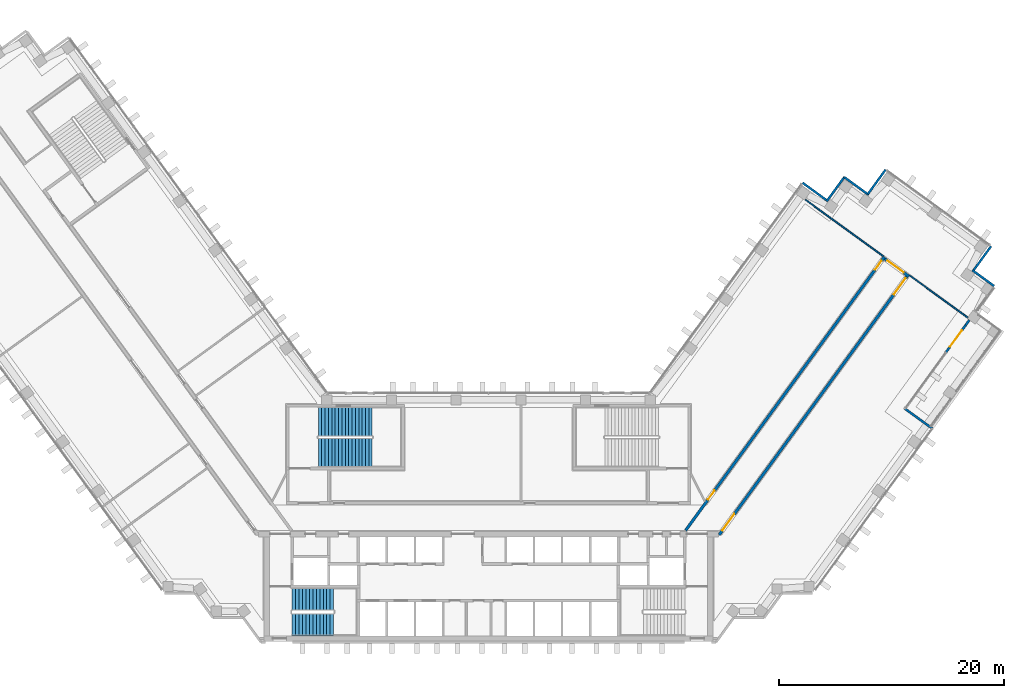
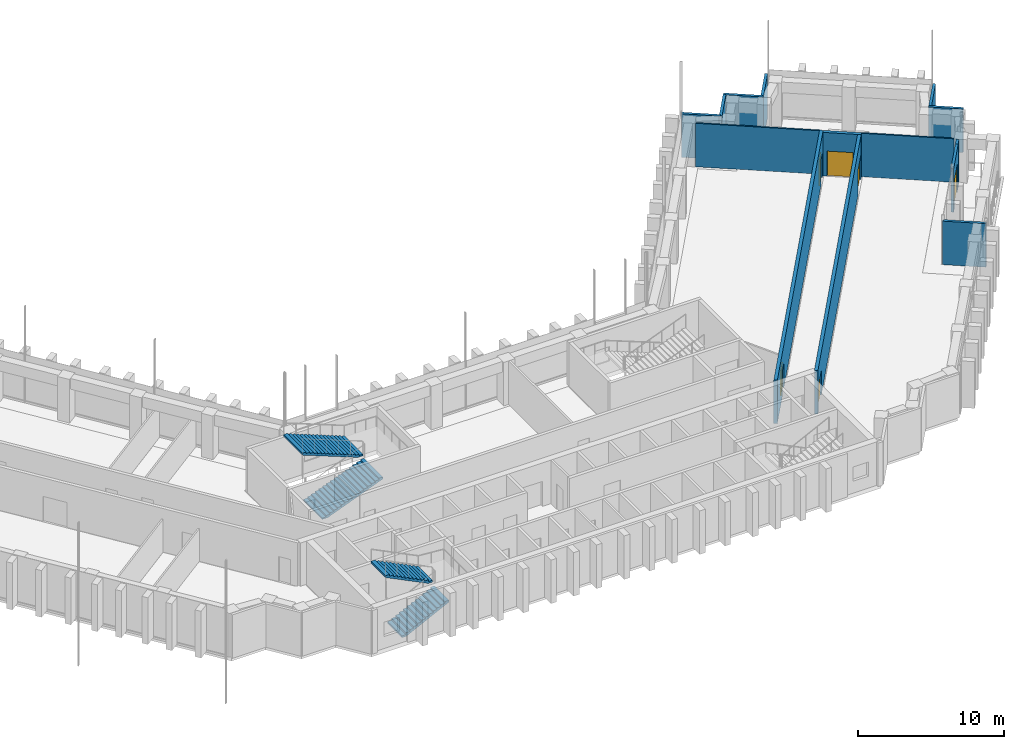
# One storey, part 13 of 16: 14 walls, 6 doors, 4 stair flights, 6 openings, 2 elements without a shape of their own.
"""IFC4 building model written with IfcOpenShell, lengths in metres."""

from ifc_helpers import new_model, si_unit, direction, frame, frame_2d, origin, place, context, subcontext, project, spatial, polyline, rectangle, outline, extrude, material, layer, layer_set, type_object, element, fill, aggregate, save


model = new_model("IFC4")

# Units and contexts
model_context = context("Model", 3, precision=1e-05, world=origin(), true_north=direction((0.0, 1.0)))
body_context = subcontext(model_context, "Body", "Model", "MODEL_VIEW")
ifc_project = project(units=[si_unit("LENGTHUNIT", "METRE"), si_unit("AREAUNIT", "SQUARE_METRE"), si_unit("VOLUMEUNIT", "CUBIC_METRE"), si_unit("PLANEANGLEUNIT", "RADIAN"), si_unit("MASSUNIT", "GRAM", prefix="KILO")], contexts=[model_context])

# Site, building, storey
site_placement = place(None, origin())
site = spatial("IfcSite", under=ifc_project, at=site_placement, CompositionType="ELEMENT")
building_placement = place(site_placement, origin())
building = spatial("IfcBuilding", under=site, at=building_placement, Name="Quipu Civic Tower", CompositionType="ELEMENT")
storey_placement = place(building_placement, frame((0.0, 0.0, 89.0)))
storey = spatial("IfcBuildingStorey", under=building, at=storey_placement, Name="L20", CompositionType="ELEMENT", Elevation=89.0)

# Wall, openings, doors
ifc_material_1 = material(Name="Concrete C50/60", Category="concrete")
ifc_layer_1 = layer(ifc_material_1, 0.25)
ifc_layer_set_1 = layer_set([ifc_layer_1], Name="Concrete C50/60")
wall_type_1 = type_object("IfcWallType", Name="Corridor wall 250 concrete", PredefinedType="SOLIDWALL", material=ifc_layer_set_1)
wall_1_placement = place(storey_placement, frame((17.544921875, -1.124755859375, 0.0), z_axis=(0.0, 0.0, 1.0), x_axis=(0.587786330937, 0.809016210693, 0.0)))
wall_1 = element("IfcWall", 1, at=wall_1_placement, inside=storey, type_object=wall_type_1, Name="Corridor wall C05", PredefinedType="SOLIDWALL", context=body_context, shape_type="SweptSolid", body=[
    extrude(rectangle(XDim=30.10302734375, YDim=0.25, at=frame_2d((15.051513671875, 0.0))), origin(), (0.0, 0.0, 1.0), 3.64990234375),
])
opening_1_placement = place(wall_1_placement, frame((28.678955078125, 0.0, 0.0)))
opening_1 = element("IfcOpeningElement", 2, at=opening_1_placement, cuts=wall_1, Name="Opening D001", PredefinedType="OPENING", context=body_context, shape_type="SweptSolid", body=[
    extrude(rectangle(XDim=1.0, YDim=2.10009765625, at=frame_2d((0.5, 1.050048828125))), frame((0.0, 0.135009765625, 0.0), z_axis=(0.0, -1.0, 0.0), x_axis=(1.0, 0.0, 0.0)), (0.0, 0.0, 1.0), 0.27001953125),
])
opening_2_placement = place(wall_1_placement, frame((3.391357421875, 0.0, 0.0)))
opening_2 = element("IfcOpeningElement", 3, at=opening_2_placement, cuts=wall_1, Name="Opening D002", PredefinedType="OPENING", context=body_context, shape_type="SweptSolid", body=[
    extrude(rectangle(XDim=1.0, YDim=2.10009765625, at=frame_2d((0.5, 1.050048828125))), frame((0.0, 0.135009765625, 0.0), z_axis=(0.0, -1.0, 0.0), x_axis=(1.0, 0.0, 0.0)), (0.0, 0.0, 1.0), 0.27001953125),
])
ifc_material_2 = material(Name="Fire rated timber door set with metal frame", Category="wood")
door_type_1 = type_object("IfcDoorType", Name="Single door 1000 x 2100 FD60", OperationType="NOTDEFINED", PredefinedType="DOOR", material=ifc_material_2)
door_1_placement = place(opening_1_placement, origin())
door_1 = element("IfcDoor", 4, at=door_1_placement, inside=storey, type_object=door_type_1, Name="Door D001", OperationType="SINGLE_SWING_RIGHT", OverallHeight=2.10009765625, OverallWidth=1.0, PredefinedType="DOOR", context=body_context, shape_type="SweptSolid", body=[
    extrude(rectangle(XDim=1.0, YDim=2.10009765625, at=frame_2d((0.5, 1.050048828125))), frame((0.0, 0.02490234375, 0.0), z_axis=(0.0, -1.0, 0.0), x_axis=(1.0, 0.0, 0.0)), (0.0, 0.0, 1.0), 0.050048828125),
])
fill(opening_1, door_1)
door_2_placement = place(opening_2_placement, origin())
door_2 = element("IfcDoor", 5, at=door_2_placement, inside=storey, type_object=door_type_1, Name="Door D002", OperationType="SINGLE_SWING_LEFT", OverallHeight=2.10009765625, OverallWidth=1.0, PredefinedType="DOOR", context=body_context, shape_type="SweptSolid", body=[
    extrude(rectangle(XDim=1.0, YDim=2.10009765625, at=frame_2d((0.5, 1.050048828125))), frame((0.0, 0.02490234375, 0.0), z_axis=(0.0, -1.0, 0.0), x_axis=(1.0, 0.0, 0.0)), (0.0, 0.0, 1.0), 0.050048828125),
])
fill(opening_2, door_2)

# Wall, opening, door
wall_2_placement = place(storey_placement, frame((35.2666015625, 23.054443359375, 0.0), z_axis=(0.0, 0.0, 1.0), x_axis=(0.809038743598, -0.587755315891, 0.0)))
wall_2 = element("IfcWall", 6, at=wall_2_placement, inside=storey, type_object=wall_type_1, Name="Corridor wall C06", PredefinedType="SOLIDWALL", context=body_context, shape_type="SweptSolid", body=[
    extrude(rectangle(XDim=2.650146484375, YDim=0.25, at=frame_2d((1.3251953125, 0.0))), origin(), (0.0, 0.0, 1.0), 3.64990234375),
])
opening_3_placement = place(wall_2_placement, frame((0.300048828125, 0.0, 0.0)))
opening_3 = element("IfcOpeningElement", 7, at=opening_3_placement, cuts=wall_2, Name="Opening D005", PredefinedType="OPENING", context=body_context, shape_type="SweptSolid", body=[
    extrude(rectangle(XDim=1.800048828125, YDim=2.10009765625, at=frame_2d((0.89990234375, 1.050048828125))), frame((0.0, 0.135009765625, 0.0), z_axis=(0.0, -1.0, 0.0), x_axis=(1.0, 0.0, 0.0)), (0.0, 0.0, 1.0), 0.27001953125),
])
ifc_material_3 = material(Name="Fire rated timber door set with metal frame", Category="wood")
door_type_2 = type_object("IfcDoorType", Name="Double door 1800 x 2100 FD60", OperationType="DOUBLE_DOOR_SINGLE_SWING", PredefinedType="DOOR", material=ifc_material_3)
door_3_placement = place(opening_3_placement, origin())
door_3 = element("IfcDoor", 8, at=door_3_placement, inside=storey, type_object=door_type_2, Name="Door D005", OperationType="DOUBLE_DOOR_SINGLE_SWING", OverallHeight=2.10009765625, OverallWidth=1.800048828125, PredefinedType="DOOR", context=body_context, shape_type="SweptSolid", body=[
    extrude(rectangle(XDim=1.800048828125, YDim=2.10009765625, at=frame_2d((0.89990234375, 1.050048828125))), frame((0.0, 0.02490234375, 0.0), z_axis=(0.0, -1.0, 0.0), x_axis=(1.0, 0.0, 0.0)), (0.0, 0.0, 1.0), 0.050048828125),
])
fill(opening_3, door_3)

# Wall, openings, doors
wall_3_placement = place(storey_placement, frame((37.236083984375, 21.46923828125, 0.0), z_axis=(0.0, 0.0, 1.0), x_axis=(-0.58778344073, -0.809018310549, 0.0)))
wall_3 = element("IfcWall", 9, at=wall_3_placement, inside=storey, type_object=wall_type_1, Name="Corridor wall C07", PredefinedType="SOLIDWALL", context=body_context, shape_type="SweptSolid", body=[
    extrude(rectangle(XDim=28.42041015625, YDim=0.25, at=frame_2d((14.210205078125, 0.0))), origin(), (0.0, 0.0, 1.0), 3.64990234375),
])
opening_4_placement = place(wall_3_placement, frame((26.137451171875, 0.0, 0.0)))
opening_4 = element("IfcOpeningElement", 10, at=opening_4_placement, cuts=wall_3, Name="Opening D003", PredefinedType="OPENING", context=body_context, shape_type="SweptSolid", body=[
    extrude(rectangle(XDim=1.800048828125, YDim=2.10009765625, at=frame_2d((0.89990234375, 1.050048828125))), frame((0.0, 0.135009765625, 0.0), z_axis=(0.0, -1.0, 0.0), x_axis=(1.0, 0.0, 0.0)), (0.0, 0.0, 1.0), 0.27001953125),
])
opening_5_placement = place(wall_3_placement, frame((0.174560546875, 0.0, 0.0)))
opening_5 = element("IfcOpeningElement", 11, at=opening_5_placement, cuts=wall_3, Name="Opening D004", PredefinedType="OPENING", context=body_context, shape_type="SweptSolid", body=[
    extrude(rectangle(XDim=1.800048828125, YDim=2.10009765625, at=frame_2d((0.89990234375, 1.050048828125))), frame((0.0, 0.135009765625, 0.0), z_axis=(0.0, -1.0, 0.0), x_axis=(1.0, 0.0, 0.0)), (0.0, 0.0, 1.0), 0.27001953125),
])
door_4_placement = place(opening_4_placement, origin())
door_4 = element("IfcDoor", 12, at=door_4_placement, inside=storey, type_object=door_type_2, Name="Door D003", OperationType="DOUBLE_DOOR_SINGLE_SWING", OverallHeight=2.10009765625, OverallWidth=1.800048828125, PredefinedType="DOOR", context=body_context, shape_type="SweptSolid", body=[
    extrude(rectangle(XDim=1.800048828125, YDim=2.10009765625, at=frame_2d((0.89990234375, 1.050048828125))), frame((0.0, 0.02490234375, 0.0), z_axis=(0.0, -1.0, 0.0), x_axis=(1.0, 0.0, 0.0)), (0.0, 0.0, 1.0), 0.050048828125),
])
fill(opening_4, door_4)
door_5_placement = place(opening_5_placement, origin())
door_5 = element("IfcDoor", 13, at=door_5_placement, inside=storey, type_object=door_type_2, Name="Door D004", OperationType="DOUBLE_DOOR_SINGLE_SWING", OverallHeight=2.10009765625, OverallWidth=1.800048828125, PredefinedType="DOOR", context=body_context, shape_type="SweptSolid", body=[
    extrude(rectangle(XDim=1.800048828125, YDim=2.10009765625, at=frame_2d((0.89990234375, 1.050048828125))), frame((0.0, 0.02490234375, 0.0), z_axis=(0.0, -1.0, 0.0), x_axis=(1.0, 0.0, 0.0)), (0.0, 0.0, 1.0), 0.050048828125),
])
fill(opening_5, door_5)

# Walls
ifc_material_4 = material(Name="Gypsum plasterboard on light gauge framing")
ifc_layer_2 = layer(ifc_material_4, 0.1201171875)
ifc_layer_set_2 = layer_set([ifc_layer_2], Name="Gypsum plasterboard on light gauge framing")
wall_type_2 = type_object("IfcWallType", Name="Partition 120 plasterboard", PredefinedType="PARTITIONING", material=ifc_layer_set_2)
wall_4_placement = place(storey_placement, frame((35.1259765625, 23.286376953125, 0.0), z_axis=(0.0, 0.0, 1.0), x_axis=(-0.80904590842, 0.587745453465, 0.0)))
element("IfcWall", 14, at=wall_4_placement, inside=storey, type_object=wall_type_2, Name="Partition P04", PredefinedType="PARTITIONING", context=body_context, shape_type="SweptSolid", body=[
    extrude(rectangle(XDim=8.5498046875, YDim=0.1201171875, at=frame_2d((4.27490234375, 0.0))), origin(), (0.0, 0.0, 1.0), 3.64990234375),
])
wall_5_placement = place(storey_placement, frame((42.64599609375, 17.8232421875, 0.0), z_axis=(0.0, 0.0, 1.0), x_axis=(-0.809038102754, 0.587756198004, 0.0)))
element("IfcWall", 15, at=wall_5_placement, inside=storey, type_object=wall_type_2, Name="Partition P06", PredefinedType="PARTITIONING", context=body_context, shape_type="SweptSolid", body=[
    extrude(rectangle(XDim=6.394775390625, YDim=0.1201171875, at=frame_2d((3.197265625, 0.0))), origin(), (0.0, 0.0, 1.0), 3.64990234375),
])
ifc_material_5 = material(Name="Precast concrete C40/50", Category="concrete")
wall_type_3 = type_object("IfcWallType", Name="Precast cladding wall", PredefinedType="SOLIDWALL", material=ifc_material_5)
wall_6_placement = place(storey_placement, frame((39.494384765625, 7.947265625, 0.0), z_axis=(0.0, 0.0, 1.0), x_axis=(-0.808999938455, 0.587808727036, 0.0)))
element("IfcWall", 16, at=wall_6_placement, inside=storey, type_object=wall_type_3, Name="Precast cladding wall L20 2", PredefinedType="SOLIDWALL", context=body_context, shape_type="SweptSolid", body=[
    extrude(rectangle(XDim=3.0, YDim=0.199951171875, at=frame_2d((1.5, 0.0))), origin(), (0.0, 0.0, 1.0), 3.64990234375),
])
wall_7_placement = place(storey_placement, frame((45.00244140625, 20.63232421875, 0.0), z_axis=(0.0, 0.0, 1.0), x_axis=(-0.809026317077, 0.587772420479, 0.0)))
element("IfcWall", 17, at=wall_7_placement, inside=storey, type_object=wall_type_3, Name="Precast cladding wall L20 7", PredefinedType="SOLIDWALL", context=body_context, shape_type="SweptSolid", body=[
    extrude(rectangle(XDim=2.39990234375, YDim=0.199951171875, at=frame_2d((1.199951171875, 0.0))), origin(), (0.0, 0.0, 1.0), 3.64990234375),
])
for number, where, z_axis, x_axis, name in (
    (18, (43.148681640625, 21.993896484375, 0.0), (0.0, 0.0, 1.0), (0.587822180636, 0.808990163075, 0.0), "Precast cladding wall L20 P01"),
    (19, (35.351318359375, 30.99658203125, 0.0), (0.0, 0.0, 1.0), (-0.587822180636, -0.808990163075, 0.0), "Precast cladding wall L20 P03"),
    (20, (33.837890625, 28.743896484375, 0.0), (0.0, 0.0, 1.0), (-0.809033161865, 0.587762999008, 0.0), "Precast cladding wall L20 P04"),
    (21, (31.67041015625, 30.33349609375, 0.0), (0.0, 0.0, 1.0), (-0.587762999008, -0.809033161865, 0.0), "Precast cladding wall L20 P05"),
    (22, (30.132568359375, 28.237060546875, 0.0), (0.0, 0.0, 1.0), (-0.808990163075, 0.587822180636, 0.0), "Precast cladding wall L20 P06"),
):
    element("IfcWall", number, at=place(storey_placement, frame(where, z_axis=z_axis, x_axis=x_axis)), inside=storey, type_object=wall_type_3, Name=name, PredefinedType="SOLIDWALL", context=body_context, shape_type="SweptSolid", body=[
        extrude(rectangle(XDim=2.699951171875, YDim=0.199951171875, at=frame_2d((1.35009765625, 0.0))), origin(), (0.0, 0.0, 1.0), 3.64990234375),
    ])

# Wall, opening, door
ifc_material_6 = material(Name="Precast concrete C40/50", Category="concrete")
wall_type_4 = type_object("IfcWallType", Name="Precast door surround", PredefinedType="SOLIDWALL", material=ifc_material_6)
wall_8_placement = place(storey_placement, frame((42.482421875, 17.16357421875, 0.0), z_axis=(0.0, 0.0, 1.0), x_axis=(-0.587808727036, -0.808999938455, 0.0)))
wall_8 = element("IfcWall", 23, at=wall_8_placement, inside=storey, type_object=wall_type_4, Name="Door surround ED-L20-1", PredefinedType="SOLIDWALL", context=body_context, shape_type="SweptSolid", body=[
    extrude(rectangle(XDim=3.0, YDim=0.199951171875, at=frame_2d((1.5, 0.0))), origin(), (0.0, 0.0, 1.0), 3.64990234375),
])
opening_6_placement = place(wall_8_placement, frame((0.60009765625, 0.0, 0.0)))
opening_6 = element("IfcOpeningElement", 24, at=opening_6_placement, cuts=wall_8, Name="Opening ED-L20-1", PredefinedType="OPENING", context=body_context, shape_type="SweptSolid", body=[
    extrude(rectangle(XDim=1.800048828125, YDim=2.39990234375, at=frame_2d((0.89990234375, 1.199951171875))), frame((0.0, 0.10986328125, 0.0), z_axis=(0.0, -1.0, 0.0), x_axis=(1.0, 0.0, 0.0)), (0.0, 0.0, 1.0), 0.219970703125),
])
ifc_material_7 = material(Name="Aluminium framed glazed door", Category="aluminium")
door_type_3 = type_object("IfcDoorType", Name="Terrace door E3", OperationType="DOUBLE_DOOR_SINGLE_SWING", PredefinedType="DOOR", material=ifc_material_7)
door_6_placement = place(opening_6_placement, origin())
door_6 = element("IfcDoor", 25, at=door_6_placement, inside=storey, type_object=door_type_3, Name="E3 door ED-L20-1", OperationType="DOUBLE_DOOR_SINGLE_SWING", OverallHeight=2.39990234375, OverallWidth=1.800048828125, PredefinedType="DOOR", context=body_context, shape_type="SweptSolid", body=[
    extrude(rectangle(XDim=1.800048828125, YDim=2.39990234375, at=frame_2d((0.89990234375, 1.199951171875))), frame((0.0, 0.02490234375, 0.0), z_axis=(0.0, -1.0, 0.0), x_axis=(1.0, 0.0, 0.0)), (0.0, 0.0, 1.0), 0.050048828125),
])
fill(opening_6, door_6)

# Wall
wall_9_placement = place(storey_placement, frame((42.482421875, 17.163818359375, 0.0), z_axis=(0.0, 0.0, 1.0), x_axis=(0.58771776895, 0.809066019593, 0.0)))
element("IfcWall", 26, at=wall_9_placement, inside=storey, type_object=wall_type_4, Name="Door surround ED-L20-1", PredefinedType="SOLIDWALL", context=body_context, shape_type="SweptSolid", body=[
    extrude(rectangle(XDim=0.543701171875, YDim=0.199951171875, at=frame_2d((0.27197265625, 0.0))), origin(), (0.0, 0.0, 1.0), 3.64990234375),
])

# Stair, stair flights
ifc_material_8 = material(Name="Concrete C40/50", Category="concrete")
stair_type_1 = type_object("IfcStairType", Name="Half turn stair 2000", PredefinedType="HALF_TURN_STAIR", material=ifc_material_8)
stair_1_placement = place(storey_placement, origin())
stair_1 = element("IfcStair", 27, at=stair_1_placement, inside=storey, type_object=stair_type_1, Name="Exit stair 1", PredefinedType="HALF_TURN_STAIR")
ifc_material_9 = material(Name="Concrete C40/50", Category="concrete")
stair_flight_type_1 = type_object("IfcStairFlightType", Name="Stair flight 2000", PredefinedType="STRAIGHT", material=ifc_material_9)
stair_flight_1_placement = place(storey_placement, frame((-17.5, -9.5, 0.0), z_axis=(0.0, 0.0, 1.0), x_axis=(1.0, 0.0, 0.0)))
stair_flight_1 = element("IfcStairFlight", 28, at=stair_flight_1_placement, type_object=stair_flight_type_1, Name="ST-1 flight 1", NumberOfRisers=13, NumberOfTreads=12, PredefinedType="STRAIGHT", RiserHeight=0.153846154, TreadLength=0.31, context=body_context, shape_type="SweptSolid", body=[
    extrude(outline(polyline([(0.0, 0.0), (0.0, 0.15380859375), (0.31005859375, 0.15380859375), (0.31005859375, 0.3076171875), (0.6201171875, 0.3076171875), (0.6201171875, 0.46142578125), (0.929931640625, 0.46142578125), (0.929931640625, 0.615478515625), (1.239990234375, 0.615478515625), (1.239990234375, 0.769287109375), (1.550048828125, 0.769287109375), (1.550048828125, 0.923095703125), (1.860107421875, 0.923095703125), (1.860107421875, 1.076904296875), (2.169921875, 1.076904296875), (2.169921875, 1.230712890625), (2.47998046875, 1.230712890625), (2.47998046875, 1.384521484375), (2.7900390625, 1.384521484375), (2.7900390625, 1.53857421875), (3.10009765625, 1.53857421875), (3.10009765625, 1.6923828125), (3.409912109375, 1.6923828125), (3.409912109375, 1.84619140625), (3.719970703125, 1.84619140625), (3.719970703125, 2.0), (3.719970703125, 1.6787109375), (0.337158203125, 0.0), (0.0, 0.0)])), frame((0.0, 1.0, 0.0), z_axis=(0.0, -1.0, 0.0), x_axis=(1.0, 0.0, 0.0)), (0.0, 0.0, 1.0), 2.0),
])
stair_flight_2_placement = place(storey_placement, frame((-13.780029296875, -7.25, 2.0), z_axis=(0.0, 0.0, 1.0), x_axis=(-1.0, 0.0, 0.0)))
stair_flight_2 = element("IfcStairFlight", 29, at=stair_flight_2_placement, type_object=stair_flight_type_1, Name="ST-1 flight 2", NumberOfRisers=13, NumberOfTreads=12, PredefinedType="STRAIGHT", RiserHeight=0.153846154, TreadLength=0.31, context=body_context, shape_type="SweptSolid", body=[
    extrude(outline(polyline([(0.0, 0.0), (0.0, 0.15380859375), (0.31005859375, 0.15380859375), (0.31005859375, 0.3076171875), (0.6201171875, 0.3076171875), (0.6201171875, 0.46142578125), (0.929931640625, 0.46142578125), (0.929931640625, 0.615478515625), (1.239990234375, 0.615478515625), (1.239990234375, 0.769287109375), (1.550048828125, 0.769287109375), (1.550048828125, 0.923095703125), (1.860107421875, 0.923095703125), (1.860107421875, 1.076904296875), (2.169921875, 1.076904296875), (2.169921875, 1.230712890625), (2.47998046875, 1.230712890625), (2.47998046875, 1.384521484375), (2.7900390625, 1.384521484375), (2.7900390625, 1.53857421875), (3.10009765625, 1.53857421875), (3.10009765625, 1.6923828125), (3.409912109375, 1.6923828125), (3.409912109375, 1.84619140625), (3.719970703125, 1.84619140625), (3.719970703125, 2.0), (3.719970703125, 1.6787109375), (0.337158203125, 0.0), (0.0, 0.0)])), frame((0.0, 1.0, 0.0), z_axis=(0.0, -1.0, 0.0), x_axis=(1.0, 0.0, 0.0)), (0.0, 0.0, 1.0), 2.0),
])
aggregate(stair_1, [stair_flight_1, stair_flight_2])

ifc_material_10 = material(Name="Concrete C40/50", Category="concrete")
stair_type_2 = type_object("IfcStairType", Name="Half turn stair 2600", PredefinedType="HALF_TURN_STAIR", material=ifc_material_10)
stair_2_placement = place(storey_placement, origin())
stair_2 = element("IfcStair", 30, at=stair_2_placement, inside=storey, type_object=stair_type_2, Name="Exit stair 3", PredefinedType="HALF_TURN_STAIR")
ifc_material_11 = material(Name="Concrete C40/50", Category="concrete")
stair_flight_type_2 = type_object("IfcStairFlightType", Name="Stair flight 2600", PredefinedType="STRAIGHT", material=ifc_material_11)
stair_flight_3_placement = place(storey_placement, frame((-15.14990234375, 5.800048828125, 0.0), z_axis=(0.0, 0.0, 1.0), x_axis=(1.0, 0.0, 0.0)))
stair_flight_3 = element("IfcStairFlight", 31, at=stair_flight_3_placement, type_object=stair_flight_type_2, Name="ST-3 flight 1", NumberOfRisers=17, NumberOfTreads=16, PredefinedType="STRAIGHT", RiserHeight=0.117647059, TreadLength=0.3, context=body_context, shape_type="SweptSolid", body=[
    extrude(outline(polyline([(0.0, 0.0), (0.0, 0.11767578125), (0.300048828125, 0.11767578125), (0.300048828125, 0.2353515625), (0.60009765625, 0.2353515625), (0.60009765625, 0.35302734375), (0.89990234375, 0.35302734375), (0.89990234375, 0.470703125), (1.199951171875, 0.470703125), (1.199951171875, 0.588134765625), (1.5, 0.588134765625), (1.5, 0.705810546875), (1.800048828125, 0.705810546875), (1.800048828125, 0.823486328125), (2.10009765625, 0.823486328125), (2.10009765625, 0.941162109375), (2.39990234375, 0.941162109375), (2.39990234375, 1.058837890625), (2.699951171875, 1.058837890625), (2.699951171875, 1.176513671875), (3.0, 1.176513671875), (3.0, 1.294189453125), (3.300048828125, 1.294189453125), (3.300048828125, 1.411865234375), (3.60009765625, 1.411865234375), (3.60009765625, 1.529296875), (3.89990234375, 1.529296875), (3.89990234375, 1.64697265625), (4.199951171875, 1.64697265625), (4.199951171875, 1.7646484375), (4.5, 1.7646484375), (4.5, 1.88232421875), (4.800048828125, 1.88232421875), (4.800048828125, 2.0), (4.800048828125, 1.721435546875), (0.41064453125, 0.0), (0.0, 0.0)])), frame((0.0, 1.300048828125, 0.0), z_axis=(0.0, -1.0, 0.0), x_axis=(1.0, 0.0, 0.0)), (0.0, 0.0, 1.0), 2.60009765625),
])
stair_flight_4_placement = place(storey_placement, frame((-10.35009765625, 8.550048828125, 2.0), z_axis=(0.0, 0.0, 1.0), x_axis=(-1.0, 0.0, 0.0)))
stair_flight_4 = element("IfcStairFlight", 32, at=stair_flight_4_placement, type_object=stair_flight_type_2, Name="ST-3 flight 2", NumberOfRisers=17, NumberOfTreads=16, PredefinedType="STRAIGHT", RiserHeight=0.117647059, TreadLength=0.3, context=body_context, shape_type="SweptSolid", body=[
    extrude(outline(polyline([(0.0, 0.0), (0.0, 0.11767578125), (0.300048828125, 0.11767578125), (0.300048828125, 0.2353515625), (0.60009765625, 0.2353515625), (0.60009765625, 0.35302734375), (0.89990234375, 0.35302734375), (0.89990234375, 0.470703125), (1.199951171875, 0.470703125), (1.199951171875, 0.588134765625), (1.5, 0.588134765625), (1.5, 0.705810546875), (1.800048828125, 0.705810546875), (1.800048828125, 0.823486328125), (2.10009765625, 0.823486328125), (2.10009765625, 0.941162109375), (2.39990234375, 0.941162109375), (2.39990234375, 1.058837890625), (2.699951171875, 1.058837890625), (2.699951171875, 1.176513671875), (3.0, 1.176513671875), (3.0, 1.294189453125), (3.300048828125, 1.294189453125), (3.300048828125, 1.411865234375), (3.60009765625, 1.411865234375), (3.60009765625, 1.529296875), (3.89990234375, 1.529296875), (3.89990234375, 1.64697265625), (4.199951171875, 1.64697265625), (4.199951171875, 1.7646484375), (4.5, 1.7646484375), (4.5, 1.88232421875), (4.800048828125, 1.88232421875), (4.800048828125, 2.0), (4.800048828125, 1.721435546875), (0.41064453125, 0.0), (0.0, 0.0)])), frame((0.0, 1.300048828125, 0.0), z_axis=(0.0, -1.0, 0.0), x_axis=(1.0, 0.0, 0.0)), (0.0, 0.0, 1.0), 2.60009765625),
])
aggregate(stair_2, [stair_flight_3, stair_flight_4])

save(model, "model.ifc")
